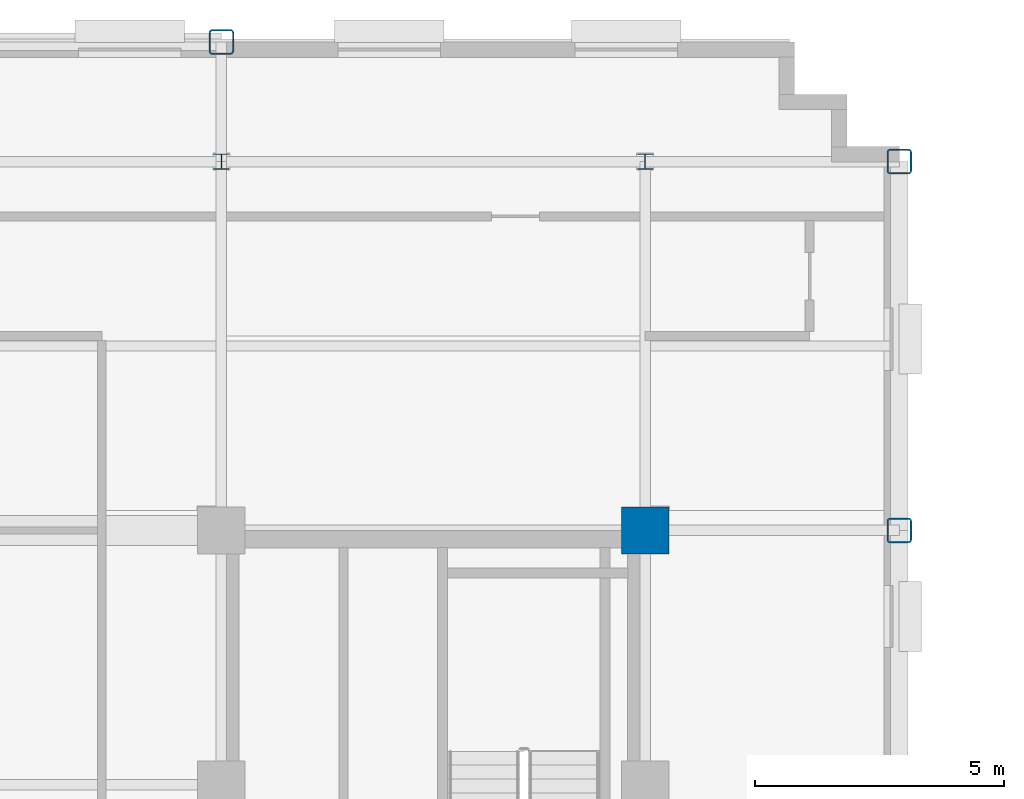
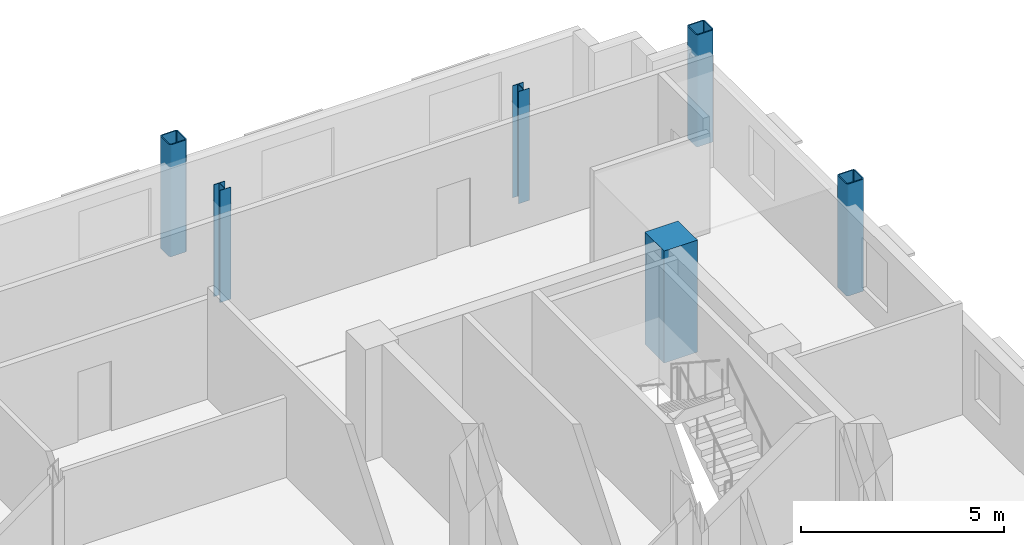
# One storey, part 4 of 15: 6 columns.
"""IFC4 building model written with IfcOpenShell, lengths in metres."""

from ifc_helpers import new_model, si_unit, direction, frame, origin, origin_2d, place, context, subcontext, project, spatial, rectangle, hollow_rectangle, i_section, extrude, material, material_profile, profile_set, type_object, element, save


model = new_model("IFC4")

# Units and contexts
model_context = context("Model", 3, precision=1e-05, world=origin(), true_north=direction((0.0, 1.0)))
body_context = subcontext(model_context, "Body", "Model", "MODEL_VIEW")
ifc_project = project(units=[si_unit("LENGTHUNIT", "METRE"), si_unit("AREAUNIT", "SQUARE_METRE"), si_unit("VOLUMEUNIT", "CUBIC_METRE"), si_unit("PLANEANGLEUNIT", "RADIAN"), si_unit("MASSUNIT", "GRAM", prefix="KILO")], contexts=[model_context])

# Site, building, storey
site_placement = place(None, origin())
site = spatial("IfcSite", under=ifc_project, at=site_placement, CompositionType="ELEMENT")
building_placement = place(site_placement, origin())
building = spatial("IfcBuilding", under=site, at=building_placement, Name="Nuvemarco Arch Tower", CompositionType="ELEMENT")
storey_placement = place(building_placement, frame((0.0, 0.0, 190.89990234375)))
storey = spatial("IfcBuildingStorey", under=building, at=storey_placement, Name="L50", CompositionType="ELEMENT", Elevation=190.89990234375)

# Columns
ifc_material_1 = material(Name="Concrete C50/60", Category="concrete")
ifc_material_profile_1 = material_profile(ifc_material_1, rectangle(XDim=0.949951171875, YDim=0.949951171875, at=origin_2d()), Name="RC-COL-950x950")
ifc_profile_set_1 = profile_set([ifc_material_profile_1], Name="Concrete C50/60")
column_type_1 = type_object("IfcColumnType", Name="COL-CORE-950", PredefinedType="COLUMN", material=ifc_profile_set_1)
column_placement = place(storey_placement, frame((17.5, 9.60009765625, 0.0), z_axis=(0.0, 0.0, 1.0), x_axis=(1.0, 0.0, 0.0)))
element("IfcColumn", 1, at=column_placement, inside=storey, type_object=column_type_1, Name="L50 column CC_+17.5_+9.6", PredefinedType="COLUMN", context=body_context, shape_type="SweptSolid", body=[
    extrude(rectangle(XDim=0.949951171875, YDim=0.949951171875, at=origin_2d()), origin(), (0.0, 0.0, 1.0), 3.3701171875),
])
ifc_material_2 = material(Name="Steel S355", Category="steel")
ifc_material_profile_2 = material_profile(ifc_material_2, hollow_rectangle(XDim=0.5, YDim=0.5, WallThickness=0.031982421875, InnerFilletRadius=0.031982421875, OuterFilletRadius=0.06396484375, at=origin_2d()), Name="SHS500x500x32")
ifc_profile_set_2 = profile_set([ifc_material_profile_2], Name="Steel S355")
column_type_2 = type_object("IfcColumnType", Name="COL-EXO-500", PredefinedType="COLUMN", material=ifc_profile_set_2)
for number, where, z_axis, x_axis, name in (
    (2, (22.60009765625, 9.60009765625, 0.0), (0.0, 0.0, 1.0), (1.0, 0.0, 0.0), "L50 column CX_+22.6_+9.6"),
    (3, (22.60009765625, 17.0, 0.0), (0.0, 0.0, 1.0), (1.0, 0.0, 0.0), "L50 column CX_+22.6_+17.0"),
    (4, (9.0, 19.39990234375, 0.0), (0.0, 0.0, 1.0), (1.0, 0.0, 0.0), "L50 column CY_+9.0_+19.4"),
):
    element("IfcColumn", number, at=place(storey_placement, frame(where, z_axis=z_axis, x_axis=x_axis)), inside=storey, type_object=column_type_2, Name=name, PredefinedType="COLUMN", context=body_context, shape_type="SweptSolid", body=[
        extrude(hollow_rectangle(XDim=0.5, YDim=0.5, WallThickness=0.031982421875, InnerFilletRadius=0.031982421875, OuterFilletRadius=0.06396484375, at=origin_2d()), origin(), (0.0, 0.0, 1.0), 3.3701171875),
    ])
ifc_material_profile_3 = material_profile(ifc_material_2, i_section(OverallWidth=0.31005859375, OverallDepth=0.31005859375, WebThickness=0.015380859375, FlangeThickness=0.015380859375, FilletRadius=0.014892578125, at=origin_2d()), Name="HP310x110")
ifc_profile_set_3 = profile_set([ifc_material_profile_3], Name="Steel S355")
column_type_3 = type_object("IfcColumnType", Name="COL-STL-HP310", PredefinedType="COLUMN", material=ifc_profile_set_3)
for number, where, z_axis, x_axis, name in (
    (5, (9.0, 17.0, 0.0), (0.0, 0.0, 1.0), (1.0, 0.0, 0.0), "L50 column CI_+9.0_+17.0"),
    (6, (17.5, 17.0, 0.0), (0.0, 0.0, 1.0), (1.0, 0.0, 0.0), "L50 column CI_+17.5_+17.0"),
):
    element("IfcColumn", number, at=place(storey_placement, frame(where, z_axis=z_axis, x_axis=x_axis)), inside=storey, type_object=column_type_3, Name=name, PredefinedType="COLUMN", context=body_context, shape_type="SweptSolid", body=[
        extrude(i_section(OverallWidth=0.31005859375, OverallDepth=0.31005859375, WebThickness=0.015380859375, FlangeThickness=0.015380859375, FilletRadius=0.014892578125, at=origin_2d()), origin(), (0.0, 0.0, 1.0), 3.3701171875),
    ])

save(model, "model.ifc")
